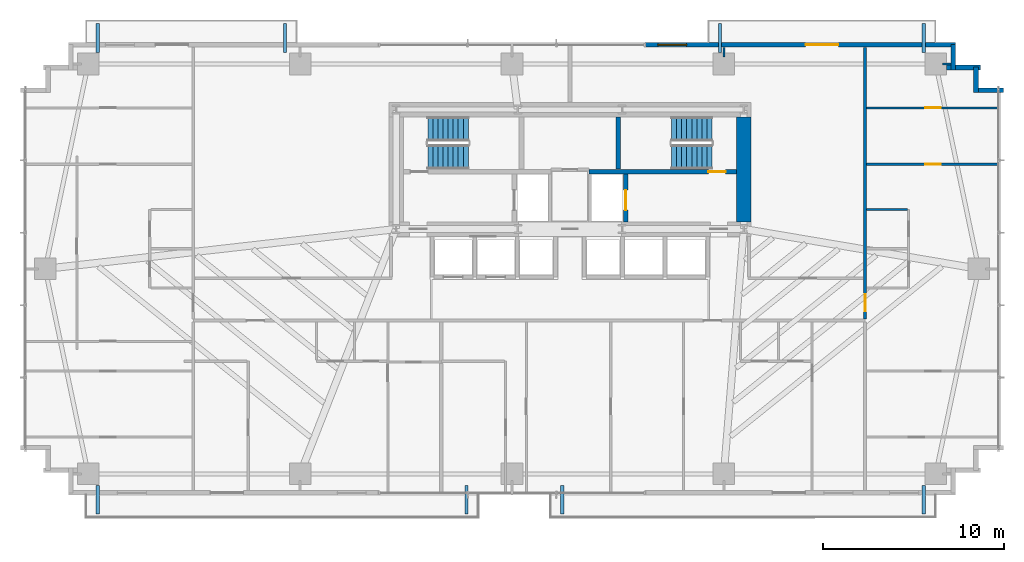
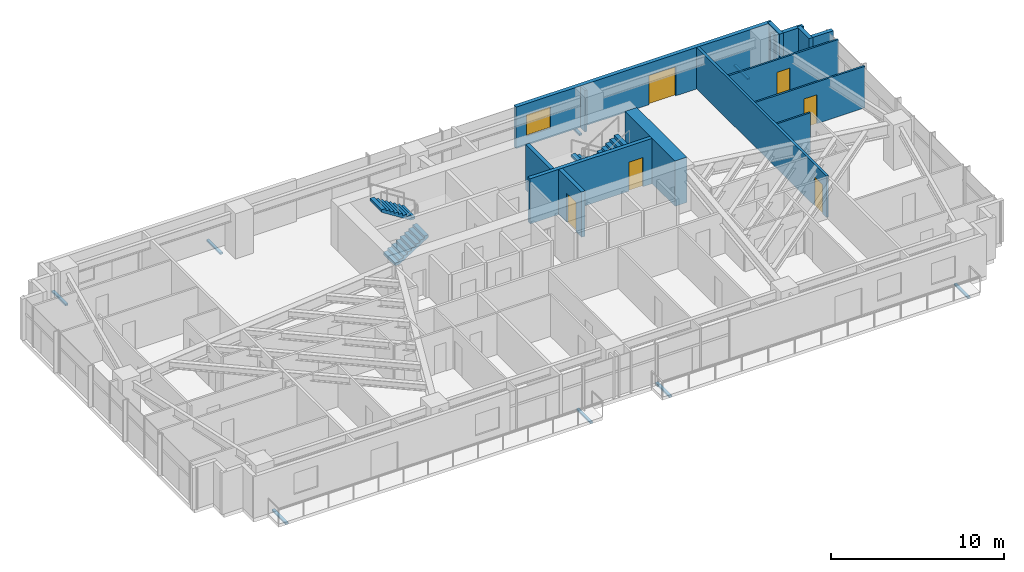
# One storey, part 22 of 25: 15 walls, 8 discrete accessories, 6 doors, 4 stair flights, 1 window, 7 openings, 2 elements without a shape of their own.
"""IFC4 building model written with IfcOpenShell, lengths in metres."""

from ifc_helpers import new_model, si_unit, direction, frame, frame_2d, origin, origin_2d, place, context, subcontext, project, spatial, polyline, rectangle, outline, extrude, source, transform, mapped, material, layer, layer_set, type_object, type_shapes, element, fill, aggregate, save


model = new_model("IFC4")

# Units and contexts
model_context = context("Model", 3, precision=1e-05, world=origin(), true_north=direction((0.0, 1.0)))
body_context = subcontext(model_context, "Body", "Model", "MODEL_VIEW")
ifc_project = project(units=[si_unit("LENGTHUNIT", "METRE"), si_unit("AREAUNIT", "SQUARE_METRE"), si_unit("VOLUMEUNIT", "CUBIC_METRE"), si_unit("PLANEANGLEUNIT", "RADIAN"), si_unit("MASSUNIT", "GRAM", prefix="KILO")], contexts=[model_context])

# Site, building, storey
site_placement = place(None, origin())
site = spatial("IfcSite", under=ifc_project, at=site_placement, CompositionType="ELEMENT")
building_placement = place(site_placement, origin())
building = spatial("IfcBuilding", under=site, at=building_placement, Name="Astriad Promenade Condominiums", CompositionType="ELEMENT")
storey_placement = place(building_placement, frame((0.0, 0.0, 26.199951171875)))
storey = spatial("IfcBuildingStorey", under=building, at=storey_placement, Name="L06", CompositionType="ELEMENT", Elevation=26.199951171875)

# Wall
ifc_material_1 = material(Name="Concrete C80/95", Category="concrete")
ifc_layer_1 = layer(ifc_material_1, 0.800048828125)
ifc_layer_set_1 = layer_set([ifc_layer_1], Name="Concrete C80/95")
wall_type_1 = type_object("IfcWallType", Name="CW-SHEAR-800", PredefinedType="SHEAR", material=ifc_layer_set_1)
wall_1_placement = place(storey_placement, frame((45.60009765625, 17.802001953125, 0.0), z_axis=(0.0, 0.0, 1.0), x_axis=(0.0, 1.0, 0.0)))
element("IfcWall", 1, at=wall_1_placement, inside=storey, type_object=wall_type_1, Name="CW-CORE-E-L06", PredefinedType="SHEAR", context=body_context, shape_type="SweptSolid", body=[
    extrude(rectangle(XDim=5.7958984375, YDim=0.800048828125, at=frame_2d((2.89794921875, 0.0))), origin(), (0.0, 0.0, 1.0), 3.199951171875),
])

# Wall, opening, door
ifc_material_2 = material(Name="Concrete C50/60", Category="concrete")
ifc_layer_2 = layer(ifc_material_2, 0.25)
ifc_layer_set_2 = layer_set([ifc_layer_2], Name="Concrete C50/60")
wall_type_2 = type_object("IfcWallType", Name="WALL-CORE-INT-250", PredefinedType="SOLIDWALL", material=ifc_layer_set_2)
wall_2_placement = place(storey_placement, frame((37.050048828125, 20.574951171875, 0.0), z_axis=(0.0, 0.0, 1.0), x_axis=(1.0, 0.0, 0.0)))
wall_2 = element("IfcWall", 2, at=wall_2_placement, inside=storey, type_object=wall_type_2, Name="CW-INT-H2-L06", PredefinedType="SOLIDWALL", context=body_context, shape_type="SweptSolid", body=[
    extrude(rectangle(XDim=8.14794921875, YDim=0.25, at=frame_2d((4.073974609375, 0.0))), origin(), (0.0, 0.0, 1.0), 3.199951171875),
])
opening_1_placement = place(wall_2_placement, frame((6.60009765625, 0.0, 0.0)))
opening_1 = element("IfcOpeningElement", 3, at=opening_1_placement, cuts=wall_2, Name="Opening FD90-ST-095", PredefinedType="OPENING", context=body_context, shape_type="SweptSolid", body=[
    extrude(rectangle(XDim=0.949951171875, YDim=2.06005859375, at=frame_2d((0.47509765625, 1.030029296875))), frame((0.0, 0.135009765625, 0.0), z_axis=(0.0, -1.0, 0.0), x_axis=(1.0, 0.0, 0.0)), (0.0, 0.0, 1.0), 0.27001953125),
])
ifc_material_3 = material(Name="Fire-Rated Hollow Metal Stair Door")
door_type_1 = type_object("IfcDoorType", Name="FD90-ST-095", OperationType="NOTDEFINED", PredefinedType="DOOR", material=ifc_material_3)
shared_shape_1 = source(origin(), body_context, "Body", "SweptSolid", [
    extrude(rectangle(XDim=0.949951171875, YDim=2.06005859375, at=frame_2d((0.47509765625, 1.030029296875))), frame((0.0, 0.02490234375, 0.0), z_axis=(0.0, -1.0, 0.0), x_axis=(1.0, 0.0, 0.0)), (0.0, 0.0, 1.0), 0.050048828125),
])
type_shapes(door_type_1, [shared_shape_1])
door_1_placement = place(opening_1_placement, origin())
door_1 = element("IfcDoor", 4, at=door_1_placement, inside=storey, type_object=door_type_1, Name="D-ST2-L06", OperationType="SINGLE_SWING_RIGHT", OverallHeight=2.06005859375, OverallWidth=0.949951171875, PredefinedType="DOOR", context=body_context, shape_type="MappedRepresentation", body=[
    mapped(shared_shape_1, transform((0.0, 0.0, 0.0), scale=1.0)),
])
fill(opening_1, door_1)

# Wall
wall_3_placement = place(storey_placement, frame((38.675048828125, 20.701904296875, 0.0), z_axis=(0.0, 0.0, 1.0), x_axis=(0.0, 1.0, 0.0)))
element("IfcWall", 5, at=wall_3_placement, inside=storey, type_object=wall_type_2, Name="CW-ST2-W-L06", PredefinedType="SOLIDWALL", context=body_context, shape_type="SweptSolid", body=[
    extrude(rectangle(XDim=2.89599609375, YDim=0.25, at=frame_2d((1.447998046875, 0.0))), origin(), (0.0, 0.0, 1.0), 3.199951171875),
])

# Wall, opening, door
wall_4_placement = place(storey_placement, frame((39.074951171875, 17.802001953125, 0.0), z_axis=(0.0, 0.0, 1.0), x_axis=(0.0, 1.0, 0.0)))
wall_4 = element("IfcWall", 6, at=wall_4_placement, inside=storey, type_object=wall_type_2, Name="CW-FFL2-E-L06", PredefinedType="SOLIDWALL", context=body_context, shape_type="SweptSolid", body=[
    extrude(rectangle(XDim=2.64599609375, YDim=0.25, at=frame_2d((1.322998046875, 0.0))), origin(), (0.0, 0.0, 1.0), 3.199951171875),
])
opening_2_placement = place(wall_4_placement, frame((0.64794921875, 0.0, 0.0)))
opening_2 = element("IfcOpeningElement", 7, at=opening_2_placement, cuts=wall_4, Name="Opening LD-FFL-1122", PredefinedType="OPENING", context=body_context, shape_type="SweptSolid", body=[
    extrude(rectangle(XDim=1.10009765625, YDim=2.080078125, at=frame_2d((0.550048828125, 1.0400390625))), frame((0.0, 0.135009765625, 0.0), z_axis=(0.0, -1.0, 0.0), x_axis=(1.0, 0.0, 0.0)), (0.0, 0.0, 1.0), 0.27001953125),
])
ifc_material_4 = material(Name="Brushed Stainless Steel Fire Elevator Landing Door", Category="steel")
door_type_2 = type_object("IfcDoorType", Name="LD-FFL-1122", OperationType="NOTDEFINED", PredefinedType="DOOR", material=ifc_material_4)
shared_shape_2 = source(origin(), body_context, "Body", "SweptSolid", [
    extrude(rectangle(XDim=1.10009765625, YDim=2.080078125, at=frame_2d((0.550048828125, 1.0400390625))), frame((0.0, 0.02490234375, 0.0), z_axis=(0.0, -1.0, 0.0), x_axis=(1.0, 0.0, 0.0)), (0.0, 0.0, 1.0), 0.050048828125),
])
type_shapes(door_type_2, [shared_shape_2])
door_2_placement = place(opening_2_placement, origin())
door_2 = element("IfcDoor", 8, at=door_2_placement, inside=storey, type_object=door_type_2, Name="Elevator Landing Door FFL-2 (L06)", OperationType="SLIDING_TO_RIGHT", OverallHeight=2.080078125, OverallWidth=1.10009765625, PredefinedType="DOOR", context=body_context, shape_type="MappedRepresentation", body=[
    mapped(shared_shape_2, transform((0.0, 0.0, 0.0), scale=1.0)),
])
fill(opening_2, door_2)

ifc_material_5 = material(Name="Fire-Rated Gypsum Partition")
ifc_layer_3 = layer(ifc_material_5, 0.159912109375)
ifc_layer_set_3 = layer_set([ifc_layer_3], Name="Fire-Rated Gypsum Partition")
wall_type_3 = type_object("IfcWallType", Name="WALL-CORR-160", PredefinedType="PARTITIONING", material=ifc_layer_set_3)
wall_5_placement = place(storey_placement, frame((52.300048828125, 12.431884765625, 0.0), z_axis=(0.0, 0.0, 1.0), x_axis=(0.0, 1.0, 0.0)))
wall_5 = element("IfcWall", 9, at=wall_5_placement, inside=storey, type_object=wall_type_3, Name="PT-COR-E-L06-S2", PredefinedType="PARTITIONING", context=body_context, shape_type="SweptSolid", body=[
    extrude(rectangle(XDim=15.006103515625, YDim=0.159912109375, at=frame_2d((7.5029296875, 0.0))), origin(), (0.0, 0.0, 1.0), 2.93994140625),
])
opening_3_placement = place(wall_5_placement, frame((0.428955078125, 0.0, 0.0)))
opening_3 = element("IfcOpeningElement", 10, at=opening_3_placement, cuts=wall_5, Name="Opening FD60-APT-095", PredefinedType="OPENING", context=body_context, shape_type="SweptSolid", body=[
    extrude(rectangle(XDim=0.949951171875, YDim=2.06005859375, at=frame_2d((0.47509765625, 1.030029296875))), frame((0.0, 0.08984375, 0.0), z_axis=(0.0, -1.0, 0.0), x_axis=(1.0, 0.0, 0.0)), (0.0, 0.0, 1.0), 0.179931640625),
])
ifc_material_6 = material(Name="Solid-Core Acoustic Timber Residence Entry Door", Category="wood")
door_type_3 = type_object("IfcDoorType", Name="FD60-APT-095", OperationType="NOTDEFINED", PredefinedType="DOOR", material=ifc_material_6)
shared_shape_3 = source(origin(), body_context, "Body", "SweptSolid", [
    extrude(rectangle(XDim=0.949951171875, YDim=2.06005859375, at=frame_2d((0.47509765625, 1.030029296875))), frame((0.0, 0.02490234375, 0.0), z_axis=(0.0, -1.0, 0.0), x_axis=(1.0, 0.0, 0.0)), (0.0, 0.0, 1.0), 0.050048828125),
])
type_shapes(door_type_3, [shared_shape_3])
door_3_placement = place(opening_3_placement, origin())
door_3 = element("IfcDoor", 11, at=door_3_placement, inside=storey, type_object=door_type_3, Name="D-ENT-L06-E1", OperationType="SINGLE_SWING_LEFT", OverallHeight=2.06005859375, OverallWidth=0.949951171875, PredefinedType="DOOR", context=body_context, shape_type="MappedRepresentation", body=[
    mapped(shared_shape_3, transform((0.0, 0.0, 0.0), scale=1.0)),
])
fill(opening_3, door_3)

# Wall, openings, door, window
ifc_material_7 = material(Name="Precast concrete C50/60", Category="concrete")
ifc_layer_4 = layer(ifc_material_7, 0.260009765625)
ifc_layer_set_4 = layer_set([ifc_layer_4], Name="Precast concrete C50/60")
wall_type_4 = type_object("IfcWallType", Name="WALL-EXT-TWR-260", PredefinedType="STANDARD", material=ifc_layer_set_4)
wall_6_placement = place(storey_placement, frame((40.14990234375, 27.570068359375, 0.0), z_axis=(0.0, 0.0, 1.0), x_axis=(1.0, 0.0, 0.0)))
wall_6 = element("IfcWall", 12, at=wall_6_placement, inside=storey, type_object=wall_type_4, Name="W-EXT-L06-N2", PredefinedType="STANDARD", context=body_context, shape_type="SweptSolid", body=[
    extrude(rectangle(XDim=17.150146484375, YDim=0.260009765625, at=frame_2d((8.5751953125, 0.0))), origin(), (0.0, 0.0, 1.0), 2.93994140625),
])
opening_4_placement = place(wall_6_placement, frame((8.8701171875, 0.0, 0.0)))
opening_4 = element("IfcOpeningElement", 13, at=opening_4_placement, cuts=wall_6, Name="Opening BD-1822-SLD", PredefinedType="OPENING", context=body_context, shape_type="SweptSolid", body=[
    extrude(rectangle(XDim=1.800048828125, YDim=2.06005859375, at=frame_2d((0.89990234375, 1.030029296875))), frame((0.0, 0.139892578125, 0.0), z_axis=(0.0, -1.0, 0.0), x_axis=(1.0, 0.0, 0.0)), (0.0, 0.0, 1.0), 0.280029296875),
])
opening_5_placement = place(wall_6_placement, frame((0.699951171875, 0.0, 0.64990234375)))
opening_5 = element("IfcOpeningElement", 14, at=opening_5_placement, cuts=wall_6, Name="Opening WIN-TWR-1620", PredefinedType="OPENING", context=body_context, shape_type="SweptSolid", body=[
    extrude(rectangle(XDim=1.60009765625, YDim=1.5, at=frame_2d((0.800048828125, 0.75))), frame((0.0, 0.139892578125, 0.0), z_axis=(0.0, -1.0, 0.0), x_axis=(1.0, 0.0, 0.0)), (0.0, 0.0, 1.0), 0.280029296875),
])
ifc_material_8 = material(Name="Thermally Broken Aluminium Sliding Balcony Door", Category="aluminium")
door_type_4 = type_object("IfcDoorType", Name="BD-1822-SLD", OperationType="NOTDEFINED", PredefinedType="DOOR", material=ifc_material_8)
shared_shape_4 = source(origin(), body_context, "Body", "SweptSolid", [
    extrude(rectangle(XDim=1.800048828125, YDim=2.06005859375, at=frame_2d((0.89990234375, 1.030029296875))), frame((0.0, 0.02490234375, 0.0), z_axis=(0.0, -1.0, 0.0), x_axis=(1.0, 0.0, 0.0)), (0.0, 0.0, 1.0), 0.050048828125),
])
type_shapes(door_type_4, [shared_shape_4])
door_4_placement = place(opening_4_placement, origin())
door_4 = element("IfcDoor", 15, at=door_4_placement, inside=storey, type_object=door_type_4, Name="BD-L06-NE", OperationType="SLIDING_TO_RIGHT", OverallHeight=2.06005859375, OverallWidth=1.800048828125, PredefinedType="DOOR", context=body_context, shape_type="MappedRepresentation", body=[
    mapped(shared_shape_4, transform((0.0, 0.0, 0.0), scale=1.0)),
])
fill(opening_4, door_4)
ifc_material_9 = material(Name="Dark Tinted Triple-Glazed Aluminium Window", Category="aluminium")
window_type = type_object("IfcWindowType", Name="WIN-TWR-1620", PartitioningType="SINGLE_PANEL", PredefinedType="WINDOW", material=ifc_material_9)
shared_shape_5 = source(origin(), body_context, "Body", "SweptSolid", [
    extrude(rectangle(XDim=1.60009765625, YDim=1.5, at=frame_2d((0.800048828125, 0.75))), frame((0.0, 0.030029296875, 0.0), z_axis=(0.0, -1.0, 0.0), x_axis=(1.0, 0.0, 0.0)), (0.0, 0.0, 1.0), 0.06005859375),
])
type_shapes(window_type, [shared_shape_5])
window_placement = place(opening_5_placement, origin())
window = element("IfcWindow", 16, at=window_placement, inside=storey, type_object=window_type, Name="WIN-L06-NE", OverallHeight=1.5, OverallWidth=1.60009765625, PartitioningType="SINGLE_PANEL", PredefinedType="WINDOW", context=body_context, shape_type="MappedRepresentation", body=[
    mapped(shared_shape_5, transform((0.0, 0.0, 0.0), scale=1.0)),
])
fill(opening_5, window)

# Walls
wall_7_placement = place(storey_placement, frame((57.169921875, 27.5849609375, 0.0), z_axis=(0.0, 0.0, 1.0), x_axis=(0.0, -1.0, 0.0)))
element("IfcWall", 17, at=wall_7_placement, inside=storey, type_object=wall_type_4, Name="W-SER-L06-09", PredefinedType="STANDARD", context=body_context, shape_type="SweptSolid", body=[
    extrude(rectangle(XDim=1.39501953125, YDim=0.260009765625, at=frame_2d((0.697509765625, 0.0))), origin(), (0.0, 0.0, 1.0), 2.93994140625),
])
wall_8_placement = place(storey_placement, frame((56.802001953125, 26.320068359375, 0.0), z_axis=(0.0, 0.0, 1.0), x_axis=(1.0, 0.0, 0.0)))
element("IfcWall", 18, at=wall_8_placement, inside=storey, type_object=wall_type_4, Name="W-SER-L06-10", PredefinedType="STANDARD", context=body_context, shape_type="SweptSolid", body=[
    extrude(rectangle(XDim=1.8779296875, YDim=0.260009765625, at=frame_2d((0.93896484375, 0.0))), origin(), (0.0, 0.0, 1.0), 2.93994140625),
])
for number, where, z_axis, x_axis, name in (
    (19, (58.419921875, 26.3349609375, 0.0), (0.0, 0.0, 1.0), (0.0, -1.0, 0.0), "W-SER-L06-11"),
    (20, (58.534912109375, 25.070068359375, 0.0), (0.0, 0.0, 1.0), (1.0, 0.0, 0.0), "W-SER-L06-12"),
):
    element("IfcWall", number, at=place(storey_placement, frame(where, z_axis=z_axis, x_axis=x_axis)), inside=storey, type_object=wall_type_4, Name=name, PredefinedType="STANDARD", context=body_context, shape_type="SweptSolid", body=[
        extrude(rectangle(XDim=1.39501953125, YDim=0.260009765625, at=frame_2d((0.697509765625, 0.0))), origin(), (0.0, 0.0, 1.0), 2.93994140625),
    ])
ifc_material_10 = material(Name="Acoustic Metal-Stud Gypsum Partition")
ifc_layer_5 = layer(ifc_material_10, 0.1201171875)
ifc_layer_set_5 = layer_set([ifc_layer_5], Name="Acoustic Metal-Stud Gypsum Partition")
wall_type_5 = type_object("IfcWallType", Name="WALL-PART-120", PredefinedType="PARTITIONING", material=ifc_layer_set_5)
wall_9_placement = place(storey_placement, frame((52.382080078125, 18.486083984375, 0.0), z_axis=(0.0, 0.0, 1.0), x_axis=(1.0, 0.0, 0.0)))
element("IfcWall", 21, at=wall_9_placement, inside=storey, type_object=wall_type_5, Name="PT-L06-E1-PN", PredefinedType="PARTITIONING", context=body_context, shape_type="SweptSolid", body=[
    extrude(rectangle(XDim=2.255859375, YDim=0.1201171875, at=frame_2d((1.1279296875, 0.0))), origin(), (0.0, 0.0, 1.0), 2.93994140625),
])

# Wall, opening, door
wall_10_placement = place(storey_placement, frame((52.382080078125, 24.090087890625, 0.0), z_axis=(0.0, 0.0, 1.0), x_axis=(1.0, 0.0, 0.0)))
wall_10 = element("IfcWall", 22, at=wall_10_placement, inside=storey, type_object=wall_type_5, Name="PT-L06-E1-B1", PredefinedType="PARTITIONING", context=body_context, shape_type="SweptSolid", body=[
    extrude(rectangle(XDim=7.337890625, YDim=0.1201171875, at=frame_2d((3.6689453125, 0.0))), origin(), (0.0, 0.0, 1.0), 2.93994140625),
])
opening_6_placement = place(wall_10_placement, frame((3.2529296875, 0.0, 0.0)))
opening_6 = element("IfcOpeningElement", 23, at=opening_6_placement, cuts=wall_10, Name="Opening D-INT-085", PredefinedType="OPENING", context=body_context, shape_type="SweptSolid", body=[
    extrude(rectangle(XDim=0.85009765625, YDim=2.050048828125, at=frame_2d((0.425048828125, 1.02490234375))), frame((0.0, 0.070068359375, 0.0), z_axis=(0.0, -1.0, 0.0), x_axis=(1.0, 0.0, 0.0)), (0.0, 0.0, 1.0), 0.14013671875),
])
ifc_material_11 = material(Name="Painted Solid-Core Timber Room Door", Category="wood")
door_type_5 = type_object("IfcDoorType", Name="D-INT-085", OperationType="NOTDEFINED", PredefinedType="DOOR", material=ifc_material_11)
shared_shape_6 = source(origin(), body_context, "Body", "SweptSolid", [
    extrude(rectangle(XDim=0.85009765625, YDim=2.050048828125, at=frame_2d((0.425048828125, 1.02490234375))), frame((0.0, 0.02490234375, 0.0), z_axis=(0.0, -1.0, 0.0), x_axis=(1.0, 0.0, 0.0)), (0.0, 0.0, 1.0), 0.050048828125),
])
type_shapes(door_type_5, [shared_shape_6])
door_5_placement = place(opening_6_placement, origin())
door_5 = element("IfcDoor", 24, at=door_5_placement, inside=storey, type_object=door_type_5, Name="D-BD1-L06-E1", OperationType="SINGLE_SWING_RIGHT", OverallHeight=2.050048828125, OverallWidth=0.85009765625, PredefinedType="DOOR", context=body_context, shape_type="MappedRepresentation", body=[
    mapped(shared_shape_6, transform((0.0, 0.0, 0.0), scale=1.0)),
])
fill(opening_6, door_5)

wall_11_placement = place(storey_placement, frame((52.382080078125, 20.98095703125, 0.0), z_axis=(0.0, 0.0, 1.0), x_axis=(1.0, 0.0, 0.0)))
wall_11 = element("IfcWall", 25, at=wall_11_placement, inside=storey, type_object=wall_type_5, Name="PT-L06-E1-WDN2", PredefinedType="PARTITIONING", context=body_context, shape_type="SweptSolid", body=[
    extrude(rectangle(XDim=7.337890625, YDim=0.1201171875, at=frame_2d((3.6689453125, 0.0))), origin(), (0.0, 0.0, 1.0), 2.93994140625),
])
opening_7_placement = place(wall_11_placement, frame((3.2529296875, 0.0, 0.0)))
opening_7 = element("IfcOpeningElement", 26, at=opening_7_placement, cuts=wall_11, Name="Opening D-INT-085", PredefinedType="OPENING", context=body_context, shape_type="SweptSolid", body=[
    extrude(rectangle(XDim=0.85009765625, YDim=2.050048828125, at=frame_2d((0.425048828125, 1.02490234375))), frame((0.0, 0.070068359375, 0.0), z_axis=(0.0, -1.0, 0.0), x_axis=(1.0, 0.0, 0.0)), (0.0, 0.0, 1.0), 0.14013671875),
])
door_6_placement = place(opening_7_placement, origin())
door_6 = element("IfcDoor", 27, at=door_6_placement, inside=storey, type_object=door_type_5, Name="D-WDN2-L06-E1", OperationType="SINGLE_SWING_LEFT", OverallHeight=2.050048828125, OverallWidth=0.85009765625, PredefinedType="DOOR", context=body_context, shape_type="MappedRepresentation", body=[
    mapped(shared_shape_6, transform((0.0, 0.0, 0.0), scale=1.0)),
])
fill(opening_7, door_6)

# Walls
wall_12_placement = place(storey_placement, frame((44.5, 26.89990234375, 0.0), z_axis=(0.0, 0.0, 1.0), x_axis=(0.0, 1.0, 0.0)))
element("IfcWall", 28, at=wall_12_placement, inside=storey, type_object=wall_type_5, Name="PT-PIL-L06-PC09-16", PredefinedType="PARTITIONING", context=body_context, shape_type="SweptSolid", body=[
    extrude(rectangle(XDim=0.5380859375, YDim=0.1201171875, at=frame_2d((0.26904296875, 0.0))), origin(), (0.0, 0.0, 1.0), 2.93994140625),
])
wall_13_placement = place(storey_placement, frame((56.580078125, 26.52001953125, 0.0), z_axis=(0.0, 0.0, 1.0), x_axis=(1.0, 0.0, 0.0)))
element("IfcWall", 29, at=wall_13_placement, inside=storey, type_object=wall_type_5, Name="PT-PIL-L06-PC10-17", PredefinedType="PARTITIONING", context=body_context, shape_type="SweptSolid", body=[
    extrude(rectangle(XDim=0.4580078125, YDim=0.1201171875, at=frame_2d((0.22900390625, 0.0))), origin(), (0.0, 0.0, 1.0), 2.93994140625),
])

# Stair, stair flights
stair_type = type_object("IfcStairType", Name="STR-CORE-1350", PredefinedType="HALF_TURN_STAIR", material=ifc_material_2)
stair_1_placement = place(storey_placement, origin())
stair_1 = element("IfcStair", 30, at=stair_1_placement, inside=storey, type_object=stair_type, Name="L06 Enclosed Core Exit Stair ST-1", PredefinedType="HALF_TURN_STAIR")
stair_flight_type = type_object("IfcStairFlightType", Name="SFL-CORE-1350", PredefinedType="STRAIGHT", material=ifc_material_2)
shared_shape_7 = source(origin(), body_context, "Body", "SweptSolid", [
    extrude(outline(polyline([(0.0, 0.0), (0.0, 0.177734375), (0.280029296875, 0.177734375), (0.280029296875, 0.35546875), (0.56005859375, 0.35546875), (0.56005859375, 0.533447265625), (0.840087890625, 0.533447265625), (0.840087890625, 0.711181640625), (1.1201171875, 0.711181640625), (1.1201171875, 0.888916015625), (1.39990234375, 0.888916015625), (1.39990234375, 1.066650390625), (1.679931640625, 1.066650390625), (1.679931640625, 1.244384765625), (1.9599609375, 1.244384765625), (1.9599609375, 1.422119140625), (2.239990234375, 1.422119140625), (2.239990234375, 1.60009765625), (2.239990234375, 1.24462890625), (0.27978515625, 0.0), (0.0, 0.0)])), frame((0.0, 0.675048828125, 0.0), z_axis=(0.0, -1.0, 0.0), x_axis=(1.0, 0.0, 0.0)), (0.0, 0.0, 1.0), 1.35009765625),
])
type_shapes(stair_flight_type, [shared_shape_7])
stair_flight_1_placement = place(storey_placement, frame((28.14990234375, 21.375, 0.0), z_axis=(0.0, 0.0, 1.0), x_axis=(1.0, 0.0, 0.0)))
stair_flight_1 = element("IfcStairFlight", 31, at=stair_flight_1_placement, type_object=stair_flight_type, Name="ST-1 flight 1", NumberOfRisers=9, NumberOfTreads=8, PredefinedType="STRAIGHT", RiserHeight=0.177777778, TreadLength=0.28, context=body_context, shape_type="MappedRepresentation", body=[
    mapped(shared_shape_7, transform((0.0, 0.0, 0.0), scale=1.0)),
])
stair_flight_2_placement = place(storey_placement, frame((30.389892578125, 22.925048828125, 1.60009765625), z_axis=(0.0, 0.0, 1.0), x_axis=(-1.0, 0.0, 0.0)))
stair_flight_2 = element("IfcStairFlight", 32, at=stair_flight_2_placement, type_object=stair_flight_type, Name="ST-1 flight 2", NumberOfRisers=9, NumberOfTreads=8, PredefinedType="STRAIGHT", RiserHeight=0.177777778, TreadLength=0.28, context=body_context, shape_type="MappedRepresentation", body=[
    mapped(shared_shape_7, transform((0.0, 0.0, 0.0), scale=1.0)),
])
aggregate(stair_1, [stair_flight_1, stair_flight_2])

stair_2_placement = place(storey_placement, origin())
stair_2 = element("IfcStair", 33, at=stair_2_placement, inside=storey, type_object=stair_type, Name="L06 Enclosed Core Exit Stair ST-2", PredefinedType="HALF_TURN_STAIR")
stair_flight_3_placement = place(storey_placement, frame((43.85009765625, 22.925048828125, 0.0), z_axis=(0.0, 0.0, 1.0), x_axis=(-1.0, 0.0, 0.0)))
stair_flight_3 = element("IfcStairFlight", 34, at=stair_flight_3_placement, type_object=stair_flight_type, Name="ST-2 flight 1", NumberOfRisers=9, NumberOfTreads=8, PredefinedType="STRAIGHT", RiserHeight=0.177777778, TreadLength=0.28, context=body_context, shape_type="MappedRepresentation", body=[
    mapped(shared_shape_7, transform((0.0, 0.0, 0.0), scale=1.0)),
])
stair_flight_4_placement = place(storey_placement, frame((41.610107421875, 21.375, 1.60009765625), z_axis=(0.0, 0.0, 1.0), x_axis=(1.0, 0.0, 0.0)))
stair_flight_4 = element("IfcStairFlight", 35, at=stair_flight_4_placement, type_object=stair_flight_type, Name="ST-2 flight 2", NumberOfRisers=9, NumberOfTreads=8, PredefinedType="STRAIGHT", RiserHeight=0.177777778, TreadLength=0.28, context=body_context, shape_type="MappedRepresentation", body=[
    mapped(shared_shape_7, transform((0.0, 0.0, 0.0), scale=1.0)),
])
aggregate(stair_2, [stair_flight_3, stair_flight_4])

# Discrete accessories
ifc_material_12 = material(Name="Steel ASTM A572 Grade 50", Category="steel")
discrete_accessory_type = type_object("IfcDiscreteAccessoryType", Name="STEEL BALCONY OUTRIGGER BRACKET", PredefinedType="BRACKET", material=ifc_material_12)
shared_shape_8 = source(origin(), body_context, "Body", "SweptSolid", [
    extrude(rectangle(XDim=1.60009765625, YDim=0.179931640625, at=origin_2d()), origin(), (0.0, 0.0, 1.0), 0.1220703125),
])
type_shapes(discrete_accessory_type, [shared_shape_8])
for number, where, z_axis, x_axis, name in (
    (36, (9.927001953125, 2.449951171875, -0.340087890625), (0.0, 0.0, 1.0), (0.0, -1.0, 0.0), "Balcony Outrigger Bracket BAL-L06-SW-A"),
    (37, (30.2939453125, 2.449951171875, -0.340087890625), (0.0, 0.0, 1.0), (0.0, -1.0, 0.0), "Balcony Outrigger Bracket BAL-L06-SW-B"),
    (38, (35.577880859375, 2.449951171875, -0.340087890625), (0.0, 0.0, 1.0), (0.0, -1.0, 0.0), "Balcony Outrigger Bracket BAL-L06-SE-A"),
    (39, (55.535888671875, 2.449951171875, -0.340087890625), (0.0, 0.0, 1.0), (0.0, -1.0, 0.0), "Balcony Outrigger Bracket BAL-L06-SE-B"),
    (40, (9.927001953125, 27.949951171875, -0.340087890625), (0.0, 0.0, 1.0), (0.0, 1.0, 0.0), "Balcony Outrigger Bracket BAL-L06-NW-A"),
    (41, (20.27001953125, 27.949951171875, -0.340087890625), (0.0, 0.0, 1.0), (0.0, 1.0, 0.0), "Balcony Outrigger Bracket BAL-L06-NW-B"),
    (42, (44.2900390625, 27.949951171875, -0.340087890625), (0.0, 0.0, 1.0), (0.0, 1.0, 0.0), "Balcony Outrigger Bracket BAL-L06-NE-A"),
    (43, (55.535888671875, 27.949951171875, -0.340087890625), (0.0, 0.0, 1.0), (0.0, 1.0, 0.0), "Balcony Outrigger Bracket BAL-L06-NE-B"),
):
    element("IfcDiscreteAccessory", number, at=place(storey_placement, frame(where, z_axis=z_axis, x_axis=x_axis)), inside=storey, type_object=discrete_accessory_type, Name=name, PredefinedType="BRACKET", context=body_context, shape_type="MappedRepresentation", body=[
        mapped(shared_shape_8, transform((0.0, 0.0, 0.0), scale=1.0)),
    ])

save(model, "model.ifc")
